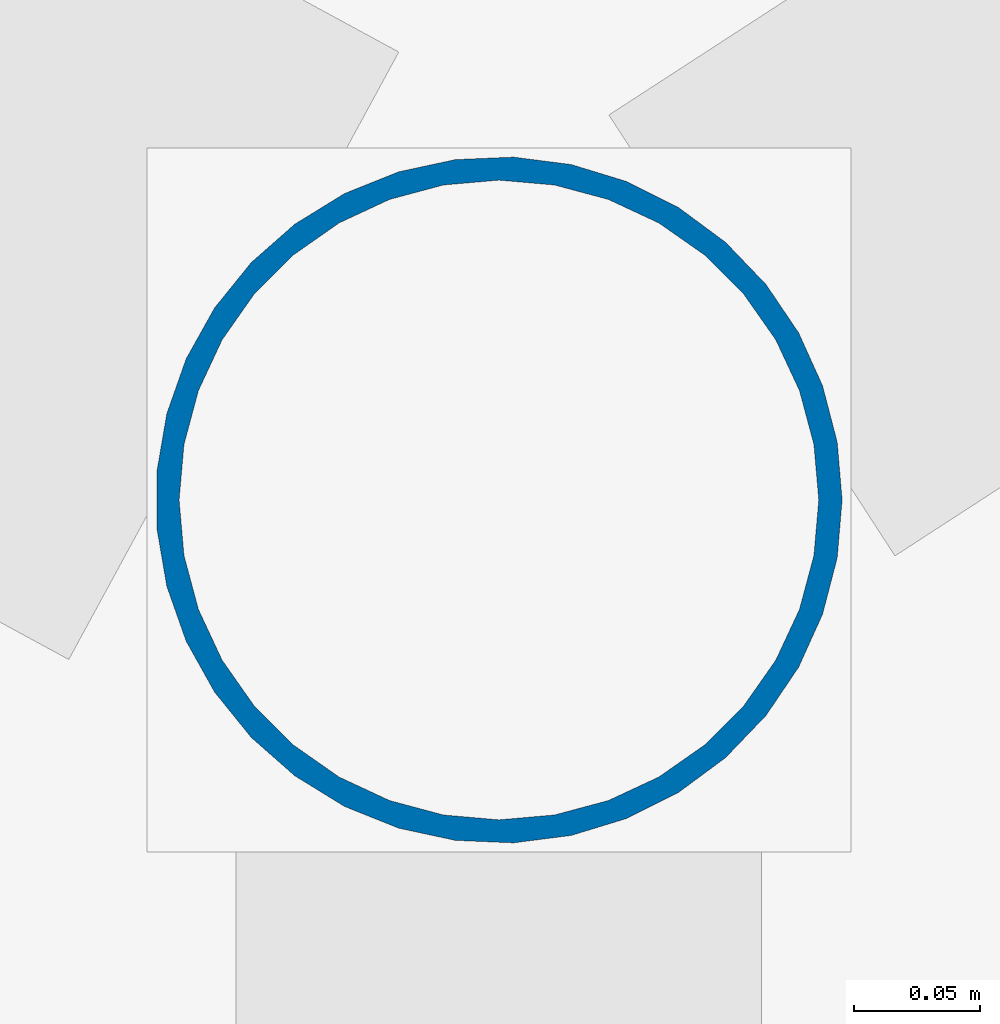
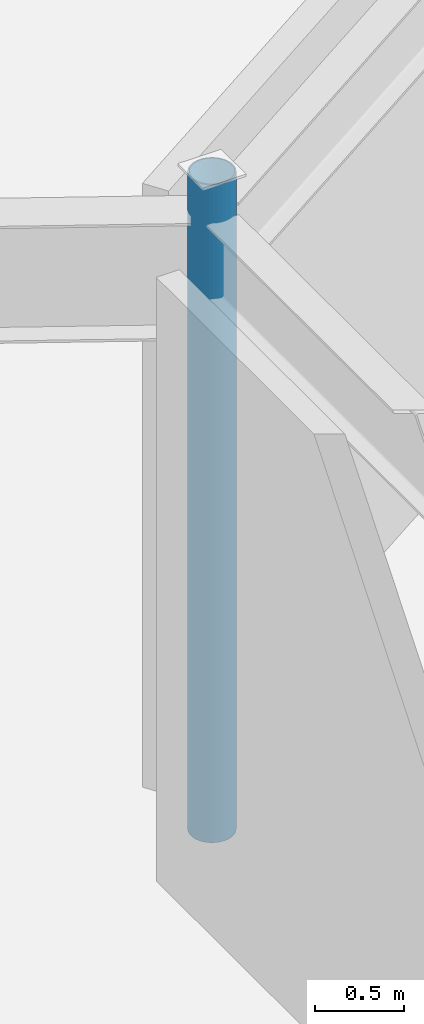
# One storey, part 10 of 88: 1 column.
"""IFC4 building model written with IfcOpenShell, lengths in metres."""

from ifc_helpers import new_model, si_unit, direction, frame, origin, origin_2d, place, context, subcontext, project, spatial, hollow_circle, extrude, material, material_profile, profile_set, type_object, element, save


model = new_model("IFC4")

# Units and contexts
model_context = context("Model", 3, precision=1e-05, world=origin(), true_north=direction((0.0, 1.0)))
body_context = subcontext(model_context, "Body", "Model", "MODEL_VIEW")
ifc_project = project(units=[si_unit("LENGTHUNIT", "METRE"), si_unit("AREAUNIT", "SQUARE_METRE"), si_unit("VOLUMEUNIT", "CUBIC_METRE"), si_unit("PLANEANGLEUNIT", "RADIAN"), si_unit("MASSUNIT", "GRAM", prefix="KILO")], contexts=[model_context])

# Site, building, storey
site_placement = place(None, origin())
site = spatial("IfcSite", under=ifc_project, at=site_placement, CompositionType="ELEMENT")
building_placement = place(site_placement, origin())
building = spatial("IfcBuilding", under=site, at=building_placement, Name="Sarnbrook Museum", CompositionType="ELEMENT")
storey_placement = place(building_placement, frame((0.0, 0.0, 10.10009765625)))
storey = spatial("IfcBuildingStorey", under=building, at=storey_placement, Name="L02", CompositionType="ELEMENT", Elevation=10.10009765625)

# Column
ifc_material = material(Name="Structural Steel Hollow Section Grade C350L0 (AS/NZS 1163, fy = 350 MPa)", Category="steel")
ifc_material_profile = material_profile(ifc_material, hollow_circle(Radius=0.136474609375, WallThickness=0.00927734375, at=origin_2d()), Name="273.1x9.3CHS")
ifc_profile_set = profile_set([ifc_material_profile], Name="Structural Steel Hollow Section Grade C350L0 (AS/NZS 1163, fy = 350 MPa)")
column_type = type_object("IfcColumnType", Name="COL-CHS273", PredefinedType="COLUMN", material=ifc_profile_set)
column_placement = place(storey_placement, frame((132.800048828125, 96.81201171875, 0.0), z_axis=(0.0, 0.0, 1.0), x_axis=(1.0, 0.0, 0.0)))
element("IfcColumn", 1, at=column_placement, inside=storey, type_object=column_type, Name="Crystal Gallery Feature Column R2-7 L02", PredefinedType="COLUMN", context=body_context, shape_type="SweptSolid", body=[
    extrude(hollow_circle(Radius=0.136474609375, WallThickness=0.00927734375, at=origin_2d()), origin(), (0.0, 0.0, 1.0), 4.5),
])

save(model, "model.ifc")
